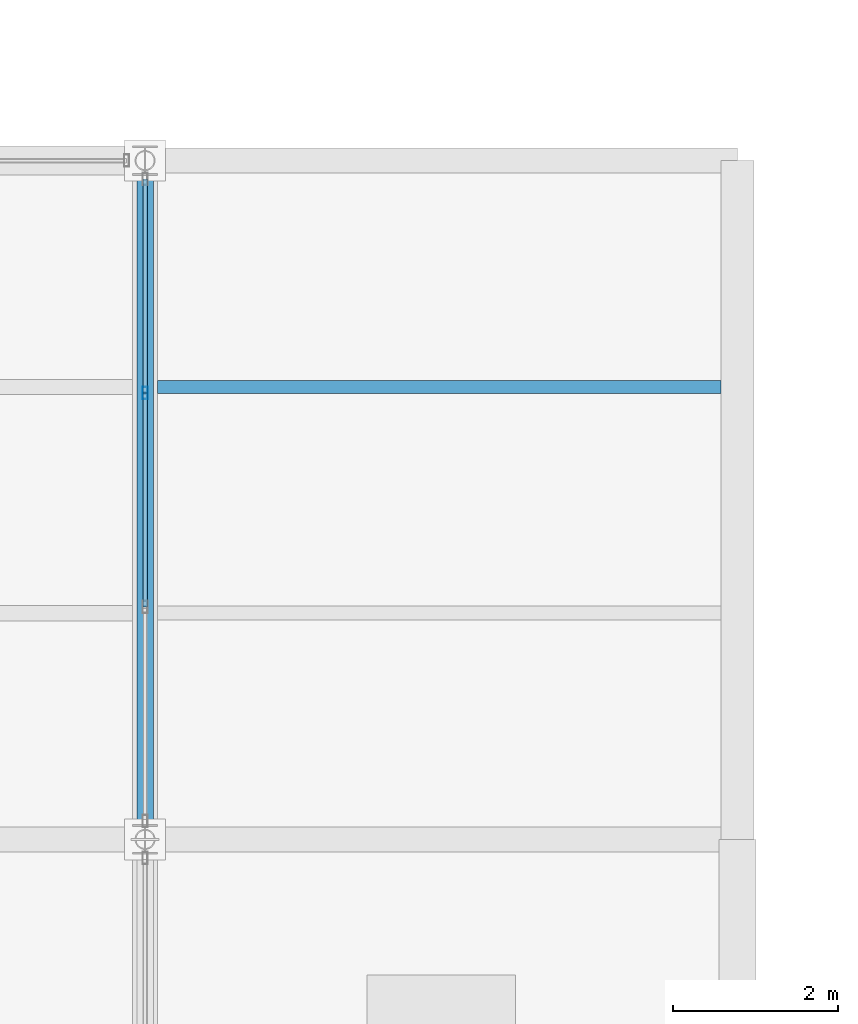
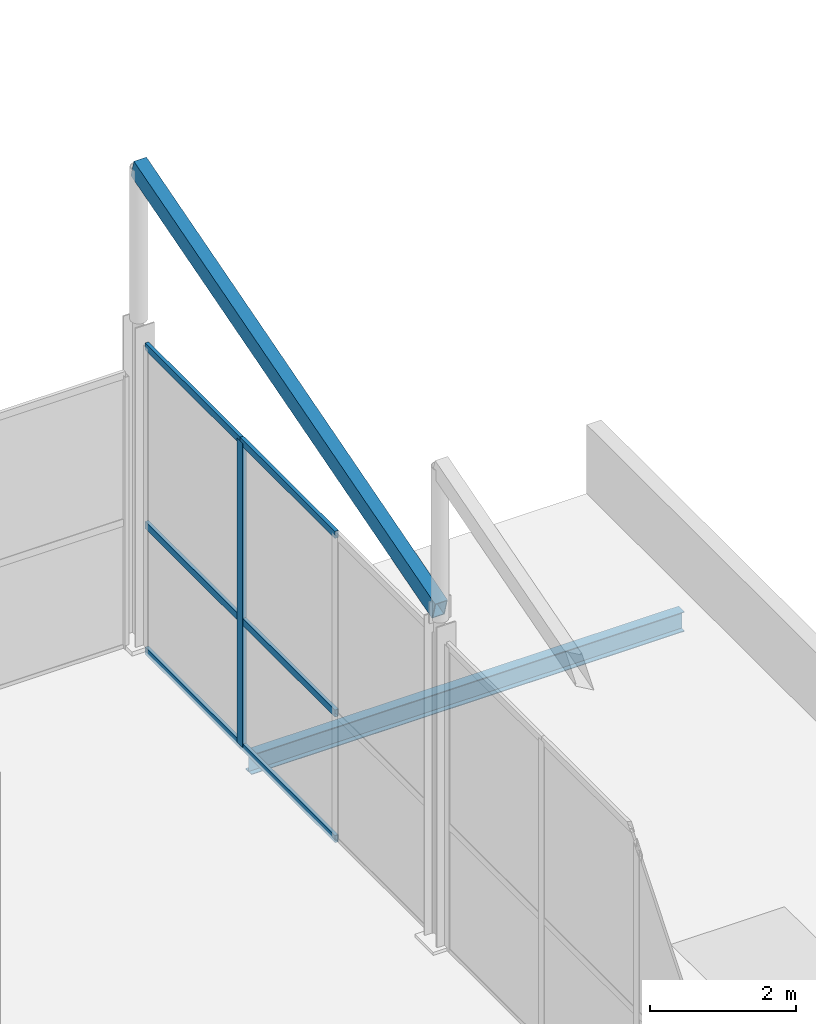
# One storey, part 71 of 141: 8 members, 1 beam, 1 element without a shape of its own.
"""IFC4 building model written with IfcOpenShell, lengths in metres."""

from ifc_helpers import new_model, si_unit, direction, frame, origin, origin_2d, place, context, subcontext, project, spatial, hollow_rectangle, i_section, extrude, material, layer, layer_set, material_profile, profile_set, type_object, element, aggregate, save


model = new_model("IFC4")

# Units and contexts
model_context = context("Model", 3, precision=1e-05, world=origin(), true_north=direction((0.0, 1.0)))
body_context = subcontext(model_context, "Body", "Model", "MODEL_VIEW")
ifc_project = project(units=[si_unit("LENGTHUNIT", "METRE"), si_unit("AREAUNIT", "SQUARE_METRE"), si_unit("VOLUMEUNIT", "CUBIC_METRE"), si_unit("PLANEANGLEUNIT", "RADIAN"), si_unit("MASSUNIT", "GRAM", prefix="KILO")], contexts=[model_context])

# Site, building, storey
site_placement = place(None, origin())
site = spatial("IfcSite", under=ifc_project, at=site_placement, CompositionType="ELEMENT")
building_placement = place(site_placement, origin())
building = spatial("IfcBuilding", under=site, at=building_placement, Name="Sundgate Opera House", CompositionType="ELEMENT")
storey_placement = place(building_placement, frame((0.0, 0.0, 11.39990234375)))
storey = spatial("IfcBuildingStorey", under=building, at=storey_placement, Name="L02", CompositionType="ELEMENT", Elevation=11.39990234375)

# Beam
ifc_material_1 = material(Name="Steel S355J2", Category="steel")
ifc_material_profile_1 = material_profile(ifc_material_1, i_section(OverallWidth=0.159912109375, OverallDepth=0.330078125, WebThickness=0.007568359375, FlangeThickness=0.011474609375, at=origin_2d()), Name="IPE 330")
ifc_profile_set_1 = profile_set([ifc_material_profile_1], Name="Steel S355J2")
beam_type = type_object("IfcBeamType", Name="BM-JS-IPE330", PredefinedType="JOIST", material=ifc_profile_set_1)
beam_placement = place(storey_placement, frame((153.14990234375, 30.25, -0.39501953125), z_axis=(1.0, 0.0, 0.0), x_axis=(0.0, 1.0, 0.0)))
element("IfcBeam", 1, at=beam_placement, inside=storey, type_object=beam_type, Name="L02 Secondary Floor Joist B2195", PredefinedType="JOIST", context=body_context, shape_type="SweptSolid", body=[
    extrude(i_section(OverallWidth=0.159912109375, OverallDepth=0.330078125, WebThickness=0.007568359375, FlangeThickness=0.011474609375, at=origin_2d()), origin(), (0.0, 0.0, 1.0), 6.85009765625),
])

# Curtain wall, members
ifc_material_2 = material(Name="Anodized aluminium and low-iron glass", Category="aluminium")
ifc_layer = layer(ifc_material_2, 0.14990234375)
ifc_layer_set = layer_set([ifc_layer], Name="Anodized aluminium and low-iron glass")
curtain_wall_type = type_object("IfcCurtainWallType", Name="CW-WORKSHOP-DARK", PredefinedType="NOTDEFINED", material=ifc_layer_set)
curtain_wall_placement = place(storey_placement, origin())
curtain_wall = element("IfcCurtainWall", 2, at=curtain_wall_placement, inside=storey, type_object=curtain_wall_type, Name="L02 Curtain Wall CW167", PredefinedType="NOTDEFINED")
ifc_material_3 = material(Name="Anodized aluminium EN AW-6063", Category="aluminium")
ifc_material_profile_2 = material_profile(ifc_material_3, hollow_rectangle(XDim=0.06005859375, YDim=0.14990234375, WallThickness=0.00390625, at=origin_2d()), Name="CWM 150x60x4")
ifc_profile_set_2 = profile_set([ifc_material_profile_2], Name="Anodized aluminium EN AW-6063")
member_type_1 = type_object("IfcMemberType", Name="CWM-ALU-150x60", PredefinedType="MULLION", material=ifc_profile_set_2)
member_1_placement = place(storey_placement, frame((153.0, 30.175048828125, 0.0), z_axis=(0.0, 0.0, 1.0), x_axis=(1.0, 0.0, 0.0)))
member_1 = element("IfcMember", 3, at=member_1_placement, type_object=member_type_1, Name="CW167 Mullion 3", PredefinedType="MULLION", context=body_context, shape_type="SweptSolid", body=[
    extrude(hollow_rectangle(XDim=0.06005859375, YDim=0.14990234375, WallThickness=0.00390625, at=origin_2d()), origin(), (0.0, 0.0, 1.0), 5.085205078125),
])
ifc_material_4 = material(Name="Anodized aluminium EN AW-6063", Category="aluminium")
ifc_material_profile_3 = material_profile(ifc_material_4, hollow_rectangle(XDim=0.054931640625, YDim=0.1201171875, WallThickness=0.00390625, at=origin_2d()), Name="CWT 120x55x4")
ifc_profile_set_3 = profile_set([ifc_material_profile_3], Name="Anodized aluminium EN AW-6063")
member_type_2 = type_object("IfcMemberType", Name="CWT-ALU-120x55", PredefinedType="USERDEFINED", material=ifc_profile_set_3)
member_2_placement = place(storey_placement, frame((153.0, 27.574951171875, 0.0), z_axis=(0.0, 1.0, 0.0), x_axis=(-1.0, 0.0, 0.0)))
member_2 = element("IfcMember", 4, at=member_2_placement, type_object=member_type_2, Name="CW167 Transom 4", ObjectType="TRANSOM", PredefinedType="USERDEFINED", context=body_context, shape_type="SweptSolid", body=[
    extrude(hollow_rectangle(XDim=0.054931640625, YDim=0.1201171875, WallThickness=0.00390625, at=origin_2d()), origin(), (0.0, 0.0, 1.0), 2.60009765625),
])
member_3_placement = place(storey_placement, frame((153.0, 27.574951171875, 2.10009765625), z_axis=(0.0, 1.0, 0.0), x_axis=(-1.0, 0.0, 0.0)))
member_3 = element("IfcMember", 5, at=member_3_placement, type_object=member_type_2, Name="CW167 Transom 5", ObjectType="TRANSOM", PredefinedType="USERDEFINED", context=body_context, shape_type="SweptSolid", body=[
    extrude(hollow_rectangle(XDim=0.054931640625, YDim=0.1201171875, WallThickness=0.00390625, at=origin_2d()), origin(), (0.0, 0.0, 1.0), 2.60009765625),
])
member_4_placement = place(storey_placement, frame((153.0, 27.574951171875, 5.085205078125), z_axis=(0.0, 1.0, 0.0), x_axis=(-1.0, 0.0, 0.0)))
member_4 = element("IfcMember", 6, at=member_4_placement, type_object=member_type_2, Name="CW167 Transom 6", ObjectType="TRANSOM", PredefinedType="USERDEFINED", context=body_context, shape_type="SweptSolid", body=[
    extrude(hollow_rectangle(XDim=0.054931640625, YDim=0.1201171875, WallThickness=0.00390625, at=origin_2d()), origin(), (0.0, 0.0, 1.0), 2.60009765625),
])
member_5_placement = place(storey_placement, frame((153.0, 30.175048828125, 0.0), z_axis=(0.0, 1.0, 0.0), x_axis=(-1.0, 0.0, 0.0)))
member_5 = element("IfcMember", 7, at=member_5_placement, type_object=member_type_2, Name="CW167 Transom 7", ObjectType="TRANSOM", PredefinedType="USERDEFINED", context=body_context, shape_type="SweptSolid", body=[
    extrude(hollow_rectangle(XDim=0.054931640625, YDim=0.1201171875, WallThickness=0.00390625, at=origin_2d()), origin(), (0.0, 0.0, 1.0), 2.599853515625),
])
member_6_placement = place(storey_placement, frame((153.0, 30.175048828125, 2.10009765625), z_axis=(0.0, 1.0, 0.0), x_axis=(-1.0, 0.0, 0.0)))
member_6 = element("IfcMember", 8, at=member_6_placement, type_object=member_type_2, Name="CW167 Transom 8", ObjectType="TRANSOM", PredefinedType="USERDEFINED", context=body_context, shape_type="SweptSolid", body=[
    extrude(hollow_rectangle(XDim=0.054931640625, YDim=0.1201171875, WallThickness=0.00390625, at=origin_2d()), origin(), (0.0, 0.0, 1.0), 2.599853515625),
])
member_7_placement = place(storey_placement, frame((153.0, 30.175048828125, 5.085205078125), z_axis=(0.0, 1.0, 0.0), x_axis=(-1.0, 0.0, 0.0)))
member_7 = element("IfcMember", 9, at=member_7_placement, type_object=member_type_2, Name="CW167 Transom 9", ObjectType="TRANSOM", PredefinedType="USERDEFINED", context=body_context, shape_type="SweptSolid", body=[
    extrude(hollow_rectangle(XDim=0.054931640625, YDim=0.1201171875, WallThickness=0.00390625, at=origin_2d()), origin(), (0.0, 0.0, 1.0), 2.599853515625),
])
aggregate(curtain_wall, [member_1, member_2, member_3, member_4, member_5, member_6, member_7])

# Member
ifc_material_5 = material(Name="Steel S355J2", Category="steel")
ifc_material_profile_4 = material_profile(ifc_material_5, hollow_rectangle(XDim=0.199951171875, YDim=0.300048828125, WallThickness=0.012451171875, at=origin_2d()), Name="RHS 300x200x12.5")
ifc_profile_set_4 = profile_set([ifc_material_profile_4], Name="Steel S355J2")
member_type_3 = type_object("IfcMemberType", Name="MB-CHORD-RHS300", PredefinedType="CHORD", material=ifc_profile_set_4)
member_8_placement = place(storey_placement, frame((153.0, 24.75, 5.550048828125), z_axis=(0.0, 0.96019072379, 0.279345259398), x_axis=(-1.0, 0.0, 0.0)))
element("IfcMember", 10, at=member_8_placement, inside=storey, type_object=member_type_3, Name="L02 Sawtooth Rafter M0433", PredefinedType="CHORD", context=body_context, shape_type="SweptSolid", body=[
    extrude(hollow_rectangle(XDim=0.199951171875, YDim=0.300048828125, WallThickness=0.012451171875, at=origin_2d()), origin(), (0.0, 0.0, 1.0), 8.592041015625),
])

save(model, "model.ifc")
